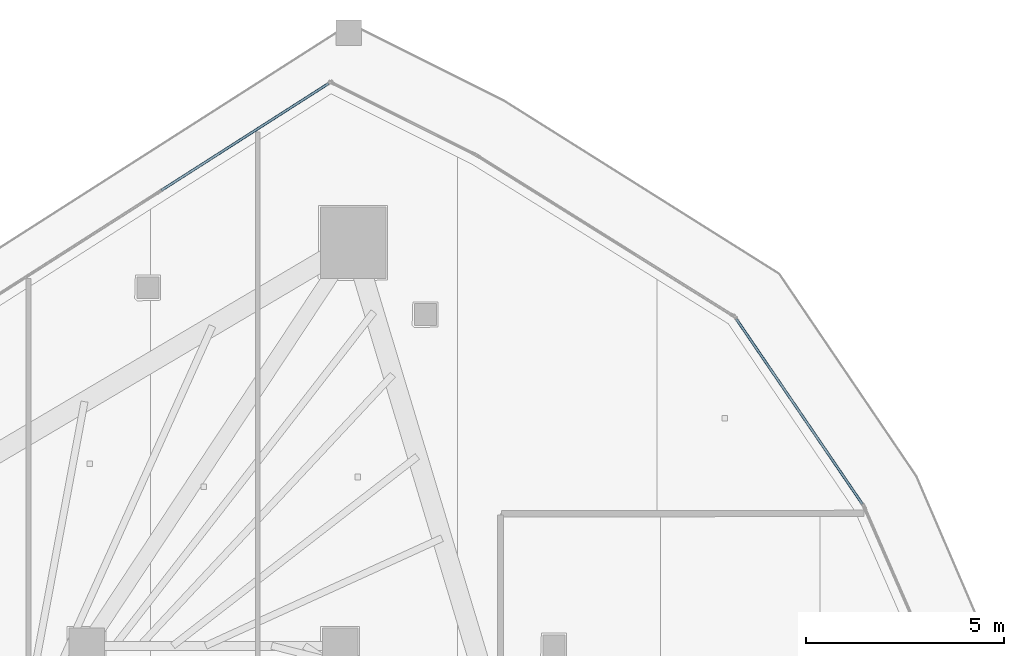
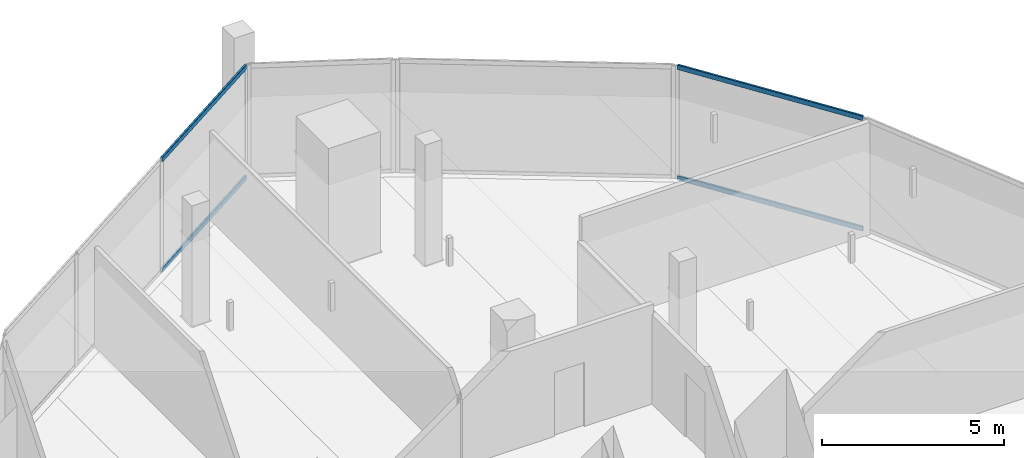
# One storey, part 21 of 36: 4 members, 2 elements without a shape of their own.
"""IFC4 building model written with IfcOpenShell, lengths in metres."""

from ifc_helpers import new_model, si_unit, direction, frame, origin, origin_2d, place, context, subcontext, project, spatial, hollow_rectangle, extrude, material, layer, layer_set, material_profile, profile_set, type_object, element, aggregate, save


model = new_model("IFC4")

# Units and contexts
model_context = context("Model", 3, precision=1e-05, world=origin(), true_north=direction((0.0, 1.0)))
body_context = subcontext(model_context, "Body", "Model", "MODEL_VIEW")
ifc_project = project(units=[si_unit("LENGTHUNIT", "METRE"), si_unit("AREAUNIT", "SQUARE_METRE"), si_unit("VOLUMEUNIT", "CUBIC_METRE"), si_unit("PLANEANGLEUNIT", "RADIAN"), si_unit("MASSUNIT", "GRAM", prefix="KILO")], contexts=[model_context])

# Site, building, storey
site_placement = place(None, origin())
site = spatial("IfcSite", under=ifc_project, at=site_placement, CompositionType="ELEMENT")
building_placement = place(site_placement, origin())
building = spatial("IfcBuilding", under=site, at=building_placement, Name="Qorvath Tower", CompositionType="ELEMENT")
storey_placement = place(building_placement, frame((0.0, 0.0, 241.5)))
storey = spatial("IfcBuildingStorey", under=building, at=storey_placement, Name="L56", CompositionType="ELEMENT", Elevation=241.5)

# Curtain wall, members
ifc_material_1 = material(Name="Anodised aluminium and triple low-E glass", Category="aluminium")
ifc_layer = layer(ifc_material_1, 0.179931640625)
ifc_layer_set = layer_set([ifc_layer], Name="CW-SYS-3")
curtain_wall_type = type_object("IfcCurtainWallType", Name="CW-SYS-3", PredefinedType="NOTDEFINED", material=ifc_layer_set)
curtain_wall_1_placement = place(storey_placement, origin())
curtain_wall_1 = element("IfcCurtainWall", 1, at=curtain_wall_1_placement, inside=storey, type_object=curtain_wall_type, Name="Curtain Wall CW-3 CW-T-L56-13.1", PredefinedType="NOTDEFINED")
ifc_material_2 = material(Name="Anodised aluminium 6063-T6", Category="aluminium")
ifc_material_profile = material_profile(ifc_material_2, hollow_rectangle(XDim=0.06494140625, YDim=0.159912109375, WallThickness=0.00341796875, InnerFilletRadius=0.00341796875, OuterFilletRadius=0.007080078125, at=origin_2d()), Name="CWT 160x65")
ifc_profile_set = profile_set([ifc_material_profile], Name="Anodised aluminium 6063-T6")
member_type = type_object("IfcMemberType", Name="CWT-160", PredefinedType="USERDEFINED", material=ifc_profile_set)
member_1_placement = place(storey_placement, frame((-4.010498046875, 15.030517578125, 0.032470703125), z_axis=(-0.563031341183, 0.826435544278, 0.0), x_axis=(-0.826435544278, -0.563031341183, 0.0)))
member_1 = element("IfcMember", 2, at=member_1_placement, type_object=member_type, Name="CW-3 transom 1.1", ObjectType="TRANSOM", PredefinedType="USERDEFINED", context=body_context, shape_type="SweptSolid", body=[
    extrude(hollow_rectangle(XDim=0.06494140625, YDim=0.159912109375, WallThickness=0.00341796875, InnerFilletRadius=0.00341796875, OuterFilletRadius=0.007080078125, at=origin_2d()), origin(), (0.0, 0.0, 1.0), 5.65478515625),
])
member_2_placement = place(storey_placement, frame((-4.010498046875, 15.030517578125, 3.74755859375), z_axis=(-0.563031341183, 0.826435544278, 0.0), x_axis=(-0.826435544278, -0.563031341183, 0.0)))
member_2 = element("IfcMember", 3, at=member_2_placement, type_object=member_type, Name="CW-3 transom 1.2", ObjectType="TRANSOM", PredefinedType="USERDEFINED", context=body_context, shape_type="SweptSolid", body=[
    extrude(hollow_rectangle(XDim=0.06494140625, YDim=0.159912109375, WallThickness=0.00341796875, InnerFilletRadius=0.00341796875, OuterFilletRadius=0.007080078125, at=origin_2d()), origin(), (0.0, 0.0, 1.0), 5.65478515625),
])
aggregate(curtain_wall_1, [member_1, member_2])

curtain_wall_2_placement = place(storey_placement, origin())
curtain_wall_2 = element("IfcCurtainWall", 4, at=curtain_wall_2_placement, inside=storey, type_object=curtain_wall_type, Name="Curtain Wall CW-3 CW-T-L56-16.1", PredefinedType="NOTDEFINED")
member_3_placement = place(storey_placement, frame((-17.493408203125, 25.648681640625, 0.032470703125), z_axis=(-0.842626877027, -0.538497860823, 0.0), x_axis=(0.538497860823, -0.842626877027, 0.0)))
member_3 = element("IfcMember", 5, at=member_3_placement, type_object=member_type, Name="CW-3 transom 1.1", ObjectType="TRANSOM", PredefinedType="USERDEFINED", context=body_context, shape_type="SweptSolid", body=[
    extrude(hollow_rectangle(XDim=0.06494140625, YDim=0.159912109375, WallThickness=0.00341796875, InnerFilletRadius=0.00341796875, OuterFilletRadius=0.007080078125, at=origin_2d()), origin(), (0.0, 0.0, 1.0), 5.011474609375),
])
member_4_placement = place(storey_placement, frame((-17.493408203125, 25.648681640625, 3.74755859375), z_axis=(-0.842626877027, -0.538497860823, 0.0), x_axis=(0.538497860823, -0.842626877027, 0.0)))
member_4 = element("IfcMember", 6, at=member_4_placement, type_object=member_type, Name="CW-3 transom 1.2", ObjectType="TRANSOM", PredefinedType="USERDEFINED", context=body_context, shape_type="SweptSolid", body=[
    extrude(hollow_rectangle(XDim=0.06494140625, YDim=0.159912109375, WallThickness=0.00341796875, InnerFilletRadius=0.00341796875, OuterFilletRadius=0.007080078125, at=origin_2d()), origin(), (0.0, 0.0, 1.0), 5.011474609375),
])
aggregate(curtain_wall_2, [member_3, member_4])

save(model, "model.ifc")
